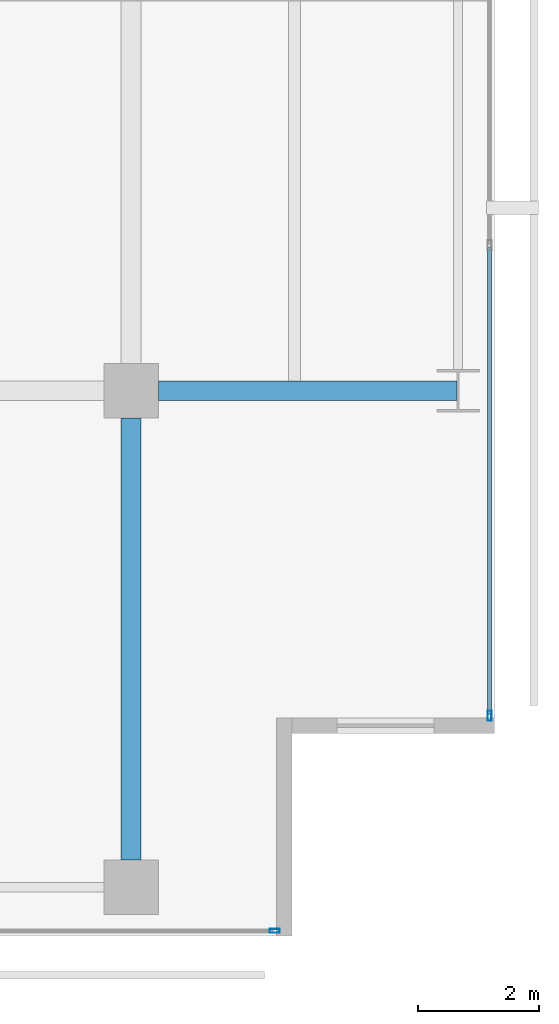
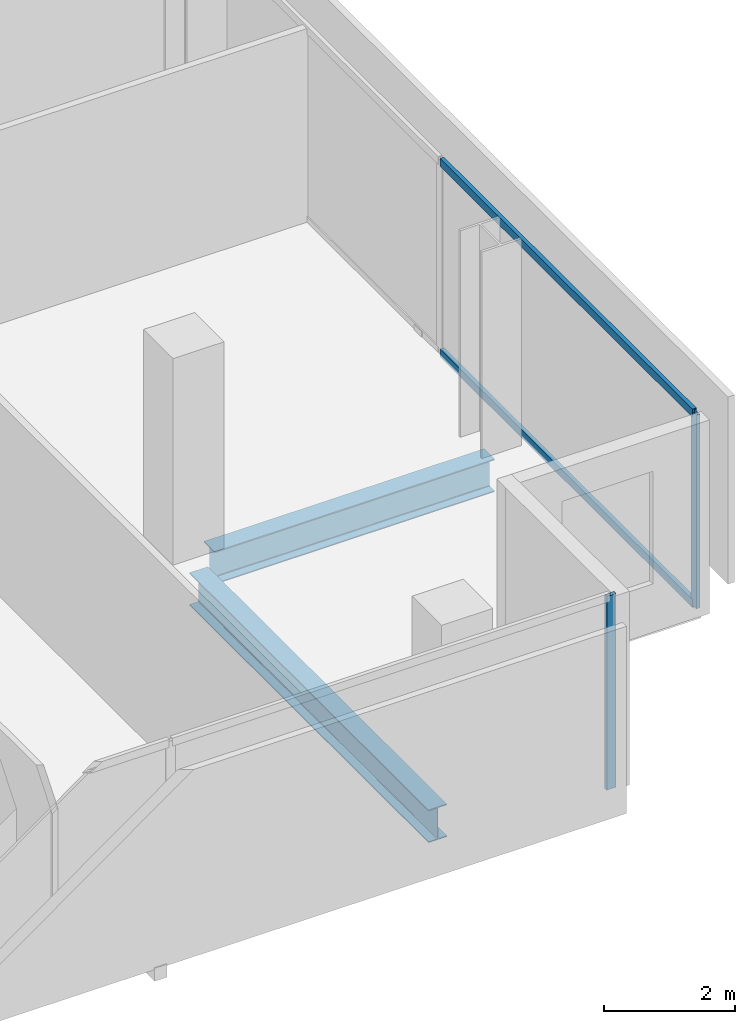
# One storey, part 16 of 41: 4 members, 2 beams, 2 elements without a shape of their own.
"""IFC4 building model written with IfcOpenShell, lengths in metres."""

from ifc_helpers import new_model, si_unit, direction, frame, origin, origin_2d, place, context, subcontext, project, spatial, hollow_rectangle, i_section, extrude, material, layer, layer_set, material_profile, profile_set, type_object, element, aggregate, save


model = new_model("IFC4")

# Units and contexts
model_context = context("Model", 3, precision=1e-05, world=origin(), true_north=direction((0.0, 1.0)))
body_context = subcontext(model_context, "Body", "Model", "MODEL_VIEW")
ifc_project = project(units=[si_unit("LENGTHUNIT", "METRE"), si_unit("AREAUNIT", "SQUARE_METRE"), si_unit("VOLUMEUNIT", "CUBIC_METRE"), si_unit("PLANEANGLEUNIT", "RADIAN"), si_unit("MASSUNIT", "GRAM", prefix="KILO")], contexts=[model_context])

# Site, building, storey
site_placement = place(None, origin())
site = spatial("IfcSite", under=ifc_project, at=site_placement, CompositionType="ELEMENT")
building_placement = place(site_placement, origin())
building = spatial("IfcBuilding", under=site, at=building_placement, Name="Maruvema Waterfront Hotel and Observation Tower", CompositionType="ELEMENT")
storey_placement = place(building_placement, frame((0.0, 0.0, 84.699951171875)))
storey = spatial("IfcBuildingStorey", under=building, at=storey_placement, Name="L20", CompositionType="ELEMENT", Elevation=84.699951171875)

# Curtain wall, members
ifc_material_1 = material(Name="Anodised bronze aluminium and solar-control low-E IGU", Category="aluminium")
ifc_layer = layer(ifc_material_1, 0.159912109375, Name="Zone 1 Bronze Inner Thermal Curtain Wall System CW-02")
ifc_layer_set = layer_set([ifc_layer], Name="Anodised bronze aluminium and solar-control low-E IGU")
curtain_wall_type = type_object("IfcCurtainWallType", Name="Zone 1 Bronze Inner Thermal Curtain Wall System CW-02", PredefinedType="USERDEFINED", material=ifc_layer_set)
curtain_wall_1_placement = place(storey_placement, origin())
curtain_wall_1 = element("IfcCurtainWall", 1, at=curtain_wall_1_placement, inside=storey, type_object=curtain_wall_type, Name="L20 Curtain Wall CW-L20-E", ObjectType="UNITISED CURTAIN WALL", PredefinedType="USERDEFINED")
ifc_material_2 = material(Name="Anodised architectural bronze aluminium", Category="aluminium")
ifc_material_profile_1 = material_profile(ifc_material_2, hollow_rectangle(XDim=0.070068359375, YDim=0.14990234375, WallThickness=0.00390625, at=origin_2d()), Name="ALU-T70x150")
ifc_profile_set_1 = profile_set([ifc_material_profile_1], Name="Anodised architectural bronze aluminium")
member_type_1 = type_object("IfcMemberType", Name="Curtain Wall Horizontal Transom ALU-T70x150", PredefinedType="USERDEFINED", material=ifc_profile_set_1)
member_1_placement = place(storey_placement, frame((64.719970703125, 3.659912109375, 0.030029296875), z_axis=(0.0, 1.0, 0.0), x_axis=(-1.0, 0.0, 0.0)))
member_1 = element("IfcMember", 2, at=member_1_placement, type_object=member_type_1, Name="CW-02 transom 1.1", ObjectType="TRANSOM", PredefinedType="USERDEFINED", context=body_context, shape_type="SweptSolid", body=[
    extrude(hollow_rectangle(XDim=0.070068359375, YDim=0.14990234375, WallThickness=0.00390625, at=origin_2d()), origin(), (0.0, 0.0, 1.0), 7.710205078125),
])
member_2_placement = place(storey_placement, frame((64.719970703125, 3.659912109375, 3.580078125), z_axis=(0.0, 1.0, 0.0), x_axis=(-1.0, 0.0, 0.0)))
member_2 = element("IfcMember", 3, at=member_2_placement, type_object=member_type_1, Name="CW-02 transom 1.2", ObjectType="TRANSOM", PredefinedType="USERDEFINED", context=body_context, shape_type="SweptSolid", body=[
    extrude(hollow_rectangle(XDim=0.070068359375, YDim=0.14990234375, WallThickness=0.00390625, at=origin_2d()), origin(), (0.0, 0.0, 1.0), 7.710205078125),
])

# Curtain wall, member
curtain_wall_2_placement = place(storey_placement, origin())
curtain_wall_2 = element("IfcCurtainWall", 4, at=curtain_wall_2_placement, inside=storey, type_object=curtain_wall_type, Name="L20 Curtain Wall CW-L20-S", ObjectType="UNITISED CURTAIN WALL", PredefinedType="USERDEFINED")
ifc_material_3 = material(Name="Anodised architectural bronze aluminium", Category="aluminium")
ifc_material_profile_2 = material_profile(ifc_material_3, hollow_rectangle(XDim=0.06494140625, YDim=0.1650390625, WallThickness=0.00390625, at=origin_2d()), Name="ALU-M65x165")
ifc_profile_set_2 = profile_set([ifc_material_profile_2], Name="Anodised architectural bronze aluminium")
member_type_2 = type_object("IfcMemberType", Name="Curtain Wall Primary Mullion ALU-M65x165", PredefinedType="MULLION", material=ifc_profile_set_2)
member_3_placement = place(storey_placement, frame((61.169921875, 0.080078125, 0.0), z_axis=(0.0, 0.0, 1.0), x_axis=(0.0, 1.0, 0.0)))
member_3 = element("IfcMember", 5, at=member_3_placement, type_object=member_type_2, Name="CW-02 mullion 7", PredefinedType="MULLION", context=body_context, shape_type="SweptSolid", body=[
    extrude(hollow_rectangle(XDim=0.06494140625, YDim=0.1650390625, WallThickness=0.00390625, at=origin_2d()), origin(), (0.0, 0.0, 1.0), 3.610107421875),
])
aggregate(curtain_wall_2, [member_3])

# Member
member_4_placement = place(storey_placement, frame((64.719970703125, 3.6298828125, 0.0), z_axis=(0.0, 0.0, 1.0), x_axis=(-1.0, 0.0, 0.0)))
member_4 = element("IfcMember", 6, at=member_4_placement, type_object=member_type_2, Name="CW-02 mullion 1", PredefinedType="MULLION", context=body_context, shape_type="SweptSolid", body=[
    extrude(hollow_rectangle(XDim=0.06494140625, YDim=0.1650390625, WallThickness=0.00390625, at=origin_2d()), origin(), (0.0, 0.0, 1.0), 3.610107421875),
])

aggregate(curtain_wall_1, [member_4, member_1, member_2])

# Beams
ifc_material_4 = material(Name="Steel ASTM A572 Grade 50", Category="steel")
ifc_material_profile_3 = material_profile(ifc_material_4, i_section(OverallWidth=0.323974609375, OverallDepth=0.611083984375, WebThickness=0.0126953125, FlangeThickness=0.01904296875, FilletRadius=0.01806640625, at=origin_2d()), Name="W610x155.0")
ifc_profile_set_3 = profile_set([ifc_material_profile_3], Name="Steel ASTM A572 Grade 50")
beam_type = type_object("IfcBeamType", Name="Primary Floor Girder W610x155.0", PredefinedType="BEAM", material=ifc_profile_set_3)
beam_1_placement = place(storey_placement, frame((59.25, 9.0, -0.54541015625), z_axis=(1.0, 0.0, 0.0), x_axis=(0.0, 1.0, 0.0)))
element("IfcBeam", 7, at=beam_1_placement, inside=storey, type_object=beam_type, Name="L20 Floor Girder EW-12", PredefinedType="BEAM", context=body_context, shape_type="SweptSolid", body=[
    extrude(i_section(OverallWidth=0.323974609375, OverallDepth=0.611083984375, WebThickness=0.0126953125, FlangeThickness=0.01904296875, FilletRadius=0.01806640625, at=origin_2d()), origin(), (0.0, 0.0, 1.0), 4.93603515625),
])
beam_2_placement = place(storey_placement, frame((58.800048828125, 1.25, -0.54541015625), z_axis=(0.0, 1.0, 0.0), x_axis=(-1.0, 0.0, 0.0)))
element("IfcBeam", 8, at=beam_2_placement, inside=storey, type_object=beam_type, Name="L20 Floor Girder NS-27", PredefinedType="BEAM", context=body_context, shape_type="SweptSolid", body=[
    extrude(i_section(OverallWidth=0.323974609375, OverallDepth=0.611083984375, WebThickness=0.0126953125, FlangeThickness=0.01904296875, FilletRadius=0.01806640625, at=origin_2d()), origin(), (0.0, 0.0, 1.0), 7.300048828125),
])

save(model, "model.ifc")
